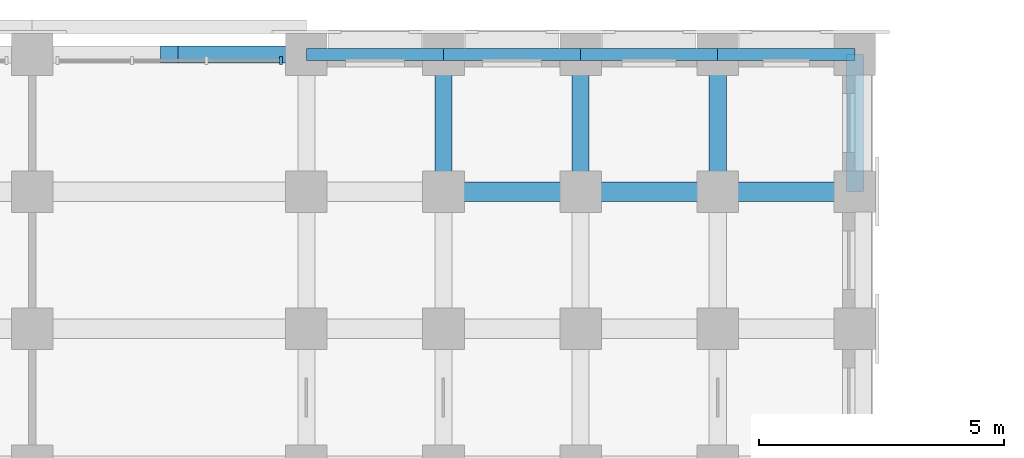
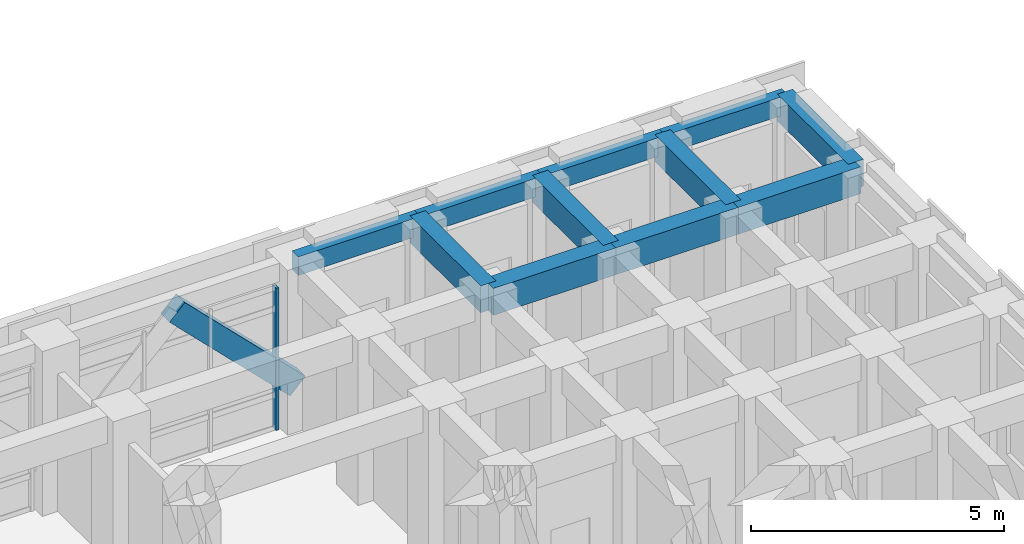
# One storey, part 38 of 97: 12 beams, 1 member, 1 element without a shape of its own.
"""IFC4 building model written with IfcOpenShell, lengths in metres."""

import ifcopenshell
import ifcopenshell.guid

model = None  # the IFC model being written
_history = None  # IfcOwnerHistory: only IFC2X3 demands one
_inside = {}  # id of a spatial element -> (the spatial element, [elements in it])
_under = {}  # id of a project, library or spatial element -> (it, [spatial elements below it])
_declared = {}  # id of a project -> (the project, [libraries it declares])
_typed = {}  # id of a type object -> (the type object, [elements of that type])
_made_of = {}  # id of a material, layer set ... -> (it, [elements and type objects made of it])


def new_model(schema):
    """Start an empty IFC model of exactly this schema.

    Asked for "IFC4X3", IfcOpenShell would pick the latest addendum, in which some entities
    have other attributes; the version numbers below select the first issue.
    IFC2X3 requires an IfcOwnerHistory on every rooted entity: one is made here for all.
    """
    global model, _history
    if schema == "IFC4X3":
        model = ifcopenshell.file(schema_version=(4, 3, 0, 0))
    else:
        model = ifcopenshell.file(schema=schema)
    _inside.clear()
    _under.clear()
    _declared.clear()
    _typed.clear()
    _made_of.clear()
    _history = None
    if model.schema == "IFC2X3":
        org = make("IfcOrganization", Name="unknown")
        user = make(
            "IfcPersonAndOrganization",
            ThePerson=make("IfcPerson", FamilyName="unknown"),
            TheOrganization=org,
        )
        app = make(
            "IfcApplication",
            ApplicationDeveloper=org,
            Version="unknown",
            ApplicationFullName="unknown",
            ApplicationIdentifier="unknown",
        )
        _history = make(
            "IfcOwnerHistory",
            OwningUser=user,
            OwningApplication=app,
            ChangeAction="ADDED",
            CreationDate=0,
        )
    return model


def make(cls, **values):
    """One entity of the class cls with the attributes given. An attribute that is None is left unset."""
    return model.create_entity(
        cls, **{name: value for name, value in values.items() if value is not None}
    )


def rooted(cls, **values):
    """An entity with a GlobalId (a new one), such as an element, a storey or a relation."""
    return make(cls, GlobalId=ifcopenshell.guid.new(), OwnerHistory=_history, **values)


def si_unit(unit_type, name, prefix=None):
    """IfcSIUnit, for example si_unit("LENGTHUNIT", "METRE", prefix="MILLI")."""
    return make("IfcSIUnit", UnitType=unit_type, Prefix=prefix, Name=name)


def assignment(units):
    """IfcUnitAssignment: the units of a project."""
    return None if units is None else make("IfcUnitAssignment", Units=units)


def point(xyz):
    """IfcCartesianPoint."""
    return None if xyz is None else make("IfcCartesianPoint", Coordinates=xyz)


def direction(xyz):
    """IfcDirection."""
    return None if xyz is None else make("IfcDirection", DirectionRatios=xyz)


def frame(location, z_axis=None, x_axis=None):
    """IfcAxis2Placement3D, a coordinate frame: its origin and axes. An axis left out is left unset."""
    return make(
        "IfcAxis2Placement3D",
        Location=point(location),
        Axis=direction(z_axis),
        RefDirection=direction(x_axis),
    )


def frame_2d(location, x_axis=None):
    """IfcAxis2Placement2D, a coordinate frame in the plane: its origin and x axis."""
    return make(
        "IfcAxis2Placement2D", Location=point(location), RefDirection=direction(x_axis)
    )


def origin():
    """The frame at (0, 0, 0) with its axes left unset."""
    return frame((0.0, 0.0, 0.0))


def origin_2d():
    """The frame at (0, 0) in the plane with its x axis left unset."""
    return frame_2d((0.0, 0.0))


def place(relative_to, where):
    """IfcLocalPlacement: puts the frame where relative to a parent placement (None: the world)."""
    return make(
        "IfcLocalPlacement", PlacementRelTo=relative_to, RelativePlacement=where
    )


def context(
    kind, dimensions, precision=None, world=None, true_north=None, identifier=None
):
    """IfcGeometricRepresentationContext, for example the 3D "Model" context."""
    return make(
        "IfcGeometricRepresentationContext",
        ContextIdentifier=identifier,
        ContextType=kind,
        CoordinateSpaceDimension=dimensions,
        Precision=precision,
        WorldCoordinateSystem=world,
        TrueNorth=true_north,
    )


def subcontext(parent, identifier, kind, view, scale=None):
    """IfcGeometricRepresentationSubContext, for example "Body" below "Model"."""
    return make(
        "IfcGeometricRepresentationSubContext",
        ContextIdentifier=identifier,
        ContextType=kind,
        ParentContext=parent,
        TargetScale=scale,
        TargetView=view,
    )


def project(units=None, contexts=None):
    """IfcProject with its units and contexts."""
    return rooted(
        "IfcProject",
        Name="project",
        RepresentationContexts=contexts,
        UnitsInContext=assignment(units),
    )


def spatial(cls, under=None, at=None, **own):
    """A site, building, storey or space (cls), placed at a placement, below another one or the project."""
    s = rooted(cls, ObjectPlacement=at, **own)
    if under is not None:
        _under.setdefault(under.id(), (under, []))[1].append(s)
    return s


def profile(cls, at=None, kind="AREA", **sizes):
    """A parametric profile (cls). Its sizes go by their IFC names, for example OverallWidth=200.0."""
    return make(cls, ProfileType=kind, Position=at, **sizes)


def rectangle(**sizes):
    """IfcRectangleProfileDef."""
    return profile("IfcRectangleProfileDef", **sizes)


def extrude(swept, where, along, depth):
    """IfcExtrudedAreaSolid: the profile swept, set in the frame where, extruded along a direction by depth."""
    return make(
        "IfcExtrudedAreaSolid",
        SweptArea=swept,
        Position=where,
        ExtrudedDirection=direction(along),
        Depth=depth,
    )


def shape(context_of_items, identifier, shape_type, items):
    """IfcShapeRepresentation: the items that make up one representation, for example the "Body"."""
    return make(
        "IfcShapeRepresentation",
        ContextOfItems=context_of_items,
        RepresentationIdentifier=identifier,
        RepresentationType=shape_type,
        Items=items,
    )


def material(Name=None, Category=None):
    """IfcMaterial."""
    return make("IfcMaterial", Name=Name, Category=Category)


def material_profile(
    of_material, cross_section, Name=None, Category=None, Priority=None
):
    """IfcMaterialProfile: a cross section and its material."""
    return make(
        "IfcMaterialProfile",
        Name=Name,
        Material=of_material,
        Profile=cross_section,
        Priority=Priority,
        Category=Category,
    )


def profile_set(profiles, Name=None, composite=None):
    """IfcMaterialProfileSet."""
    return make(
        "IfcMaterialProfileSet",
        Name=Name,
        MaterialProfiles=profiles,
        CompositeProfile=composite,
    )


def made_of(thing, what):
    """Note that an element or type object is made of a material, layer set ...; save() writes the relation."""
    if what is not None:
        _made_of.setdefault(what.id(), (what, []))[1].append(thing)
    return thing


def type_object(cls, material=None, **own):
    """A type object (cls), such as IfcWallType, which elements share."""
    return made_of(rooted(cls, **own), material)


def element(
    cls,
    number,
    at=None,
    inside=None,
    cuts=None,
    type_object=None,
    material=None,
    context=None,
    identifier="Body",
    shape_type=None,
    held_by="IfcProductDefinitionShape",
    body=None,
    shapes=None,
    **own,
):
    """One element of the class cls, such as IfcWall. Its Tag is "e" and its number.

    at: its placement. inside: the storey or other place that contains it. cuts: it is an
    opening in that element (IfcRelVoidsElement). A single representation is given by context,
    identifier, shape_type and body (its items); several are given by shapes. held_by: the class
    of the entity that holds the representations. save() writes the other relations.
    """
    e = rooted(cls, Tag="e%d" % number, ObjectPlacement=at, **own)
    if body is not None:
        shapes = [shape(context, identifier, shape_type, body)]
    if shapes is not None:
        e.Representation = make(held_by, Representations=shapes)
    if inside is not None:
        _inside.setdefault(inside.id(), (inside, []))[1].append(e)
    if cuts is not None:
        rooted(
            "IfcRelVoidsElement", RelatingBuildingElement=cuts, RelatedOpeningElement=e
        )
    if type_object is not None:
        _typed.setdefault(type_object.id(), (type_object, []))[1].append(e)
    return made_of(e, material)


def aggregate(whole, parts):
    """IfcRelAggregates: a whole, such as a stair, and the parts it consists of."""
    return rooted("IfcRelAggregates", RelatingObject=whole, RelatedObjects=parts)


def save(model, path):
    """Write the relations noted so far, then the file.

    IfcRelAggregates (storeys below a building ...), IfcRelContainedInSpatialStructure (elements
    in a storey), IfcRelDefinesByType, IfcRelAssociatesMaterial and IfcRelDeclares: one each for
    every whole, place, type object, material and project.
    """
    for whole, parts in _under.values():
        aggregate(whole, parts)
    for where, things in _inside.values():
        rooted(
            "IfcRelContainedInSpatialStructure",
            RelatedElements=things,
            RelatingStructure=where,
        )
    for kind, things in _typed.values():
        rooted("IfcRelDefinesByType", RelatedObjects=things, RelatingType=kind)
    for what, things in _made_of.values():
        rooted("IfcRelAssociatesMaterial", RelatedObjects=things, RelatingMaterial=what)
    for by, libraries in _declared.values():
        rooted("IfcRelDeclares", RelatingContext=by, RelatedDefinitions=libraries)
    model.write(path)


model = new_model("IFC4")

# Units and contexts
model_context = context("Model", 3, precision=1e-05, world=origin(), true_north=direction((0.0, 1.0)))
body_context = subcontext(model_context, "Body", "Model", "MODEL_VIEW")
ifc_project = project(units=[si_unit("LENGTHUNIT", "METRE"), si_unit("AREAUNIT", "SQUARE_METRE"), si_unit("VOLUMEUNIT", "CUBIC_METRE"), si_unit("PLANEANGLEUNIT", "RADIAN"), si_unit("MASSUNIT", "GRAM", prefix="KILO")], contexts=[model_context])

# Site, building, storey
site_placement = place(None, origin())
site = spatial("IfcSite", under=ifc_project, at=site_placement, CompositionType="ELEMENT")
building_placement = place(site_placement, origin())
building = spatial("IfcBuilding", under=site, at=building_placement, Name="Kiranvali Square Residences", CompositionType="ELEMENT")
storey_placement = place(building_placement, frame((0.0, 0.0, 4.5)))
storey = spatial("IfcBuildingStorey", under=building, at=storey_placement, Name="L01", CompositionType="ELEMENT", Elevation=4.5)

# Beams
ifc_material_1 = material(Name="Concrete M40 (40 MPa)", Category="concrete")
ifc_material_profile_1 = material_profile(ifc_material_1, rectangle(XDim=0.35009765625, YDim=0.5, at=origin_2d()), Name="RC 350x500")
ifc_profile_set_1 = profile_set([ifc_material_profile_1], Name="Concrete M40 (40 MPa)")
beam_type_1 = type_object("IfcBeamType", Name="AR-M40-350x500", PredefinedType="USERDEFINED", material=ifc_profile_set_1)
beam_placement = place(storey_placement, frame((56.60009765625, 133.800048828125, 3.64990234375), z_axis=(0.708390178619, 0.0, -0.705821050151), x_axis=(0.0, 1.0, 0.0)))
element("IfcBeam", 1, at=beam_placement, inside=storey, type_object=beam_type_1, Name="Classical pointed Ottoman arch rib ARCH-A-A1-1.2", ObjectType="ARCH RIB", PredefinedType="USERDEFINED", context=body_context, shape_type="SweptSolid", body=[
    extrude(rectangle(XDim=0.35009765625, YDim=0.5, at=origin_2d()), origin(), (0.0, 0.0, 1.0), 3.896240234375),
])
ifc_material_profile_2 = material_profile(ifc_material_1, rectangle(XDim=0.35009765625, YDim=0.64990234375, at=origin_2d()), Name="RC 350x650")
ifc_profile_set_2 = profile_set([ifc_material_profile_2], Name="Concrete M40 (40 MPa)")
beam_type_2 = type_object("IfcBeamType", Name="BM-M40-350x650", PredefinedType="BEAM", material=ifc_profile_set_2)
for number, where, z_axis, x_axis, name in (
    (2, (62.199951171875, 131.0, 3.655029296875), (0.0, 1.0, 0.0), (-1.0, 0.0, 0.0), "L01 beam BM-A-L01-A1T2-67"),
    (3, (65.0, 131.0, 3.655029296875), (0.0, 1.0, 0.0), (-1.0, 0.0, 0.0), "L01 beam BM-A-L01-A1T3-67"),
    (4, (67.800048828125, 131.0, 3.655029296875), (0.0, 1.0, 0.0), (-1.0, 0.0, 0.0), "L01 beam BM-A-L01-A1T4-67"),
    (5, (70.60009765625, 131.0, 3.655029296875), (0.0, 1.0, 0.0), (-1.0, 0.0, 0.0), "L01 beam BM-A-L01-A1T5-67"),
):
    element("IfcBeam", number, at=place(storey_placement, frame(where, z_axis=z_axis, x_axis=x_axis)), inside=storey, type_object=beam_type_2, Name=name, PredefinedType="BEAM", context=body_context, shape_type="SweptSolid", body=[
        extrude(rectangle(XDim=0.35009765625, YDim=0.64990234375, at=origin_2d()), origin(), (0.0, 0.0, 1.0), 2.800048828125),
    ])
ifc_material_2 = material(Name="Concrete M45 (45 MPa)", Category="concrete")
ifc_material_profile_3 = material_profile(ifc_material_2, rectangle(XDim=0.39990234375, YDim=0.64990234375, at=origin_2d()), Name="RC 400x650")
ifc_profile_set_3 = profile_set([ifc_material_profile_3], Name="Concrete M45 (45 MPa)")
beam_type_3 = type_object("IfcBeamType", Name="BM-M45-400x650", PredefinedType="BEAM", material=ifc_profile_set_3)
for number, where, z_axis, x_axis, name in (
    (6, (62.199951171875, 131.0, 3.655029296875), (1.0, 0.0, 0.0), (0.0, 1.0, 0.0), "L01 beam BM-A-L01-A1U3-R6"),
    (7, (65.0, 131.0, 3.655029296875), (1.0, 0.0, 0.0), (0.0, 1.0, 0.0), "L01 beam BM-A-L01-A1U4-R6"),
    (8, (67.800048828125, 131.0, 3.655029296875), (1.0, 0.0, 0.0), (0.0, 1.0, 0.0), "L01 beam BM-A-L01-A1U5-R6"),
):
    element("IfcBeam", number, at=place(storey_placement, frame(where, z_axis=z_axis, x_axis=x_axis)), inside=storey, type_object=beam_type_3, Name=name, PredefinedType="BEAM", context=body_context, shape_type="SweptSolid", body=[
        extrude(rectangle(XDim=0.39990234375, YDim=0.64990234375, at=origin_2d()), origin(), (0.0, 0.0, 1.0), 2.800048828125),
    ])

# Curtain wall, member
ifc_material_3 = material(Name="Anodised bronze aluminium framing", Category="aluminium")
curtain_wall_type = type_object("IfcCurtainWallType", Name="CW-RET-SHOP", PredefinedType="USERDEFINED", material=ifc_material_3)
curtain_wall_placement = place(storey_placement, origin())
curtain_wall = element("IfcCurtainWall", 9, at=curtain_wall_placement, inside=storey, type_object=curtain_wall_type, Name="L01 curtain wall CW-A-L01-A1-1", ObjectType="CURTAIN WALL", PredefinedType="USERDEFINED")
ifc_material_profile_4 = material_profile(ifc_material_3, rectangle(XDim=0.06494140625, YDim=0.159912109375, at=origin_2d()), Name="ALU 65x160")
ifc_profile_set_4 = profile_set([ifc_material_profile_4], Name="Anodised bronze aluminium framing")
member_type = type_object("IfcMemberType", Name="CW-MUL-160", PredefinedType="MULLION", material=ifc_profile_set_4)
member_placement = place(storey_placement, frame((58.8798828125, 133.679931640625, 0.02001953125), z_axis=(0.0, 0.0, 1.0), x_axis=(1.0, 0.0, 0.0)))
member = element("IfcMember", 10, at=member_placement, type_object=member_type, Name="CW-A-L01-A1-1 vertical mullion 4", PredefinedType="MULLION", context=body_context, shape_type="SweptSolid", body=[
    extrude(rectangle(XDim=0.06494140625, YDim=0.159912109375, at=origin_2d()), origin(), (0.0, 0.0, 1.0), 3.43994140625),
])
aggregate(curtain_wall, [member])

# Beams
ifc_material_profile_5 = material_profile(ifc_material_1, rectangle(XDim=0.25, YDim=0.449951171875, at=origin_2d()), Name="RC 250x450")
ifc_profile_set_5 = profile_set([ifc_material_profile_5], Name="Concrete M40 (40 MPa)")
beam_type_4 = type_object("IfcBeamType", Name="SPN-M40-250x450", PredefinedType="SPANDREL", material=ifc_profile_set_5)
for number, where, z_axis, x_axis, name in (
    (11, (59.39990234375, 133.800048828125, 3.7548828125), (1.0, 0.0, 0.0), (0.0, 1.0, 0.0), "L01 beam BM-A-L01-A1U2-R7"),
    (12, (62.199951171875, 133.800048828125, 3.7548828125), (1.0, 0.0, 0.0), (0.0, 1.0, 0.0), "L01 beam BM-A-L01-A1U3-R7"),
    (13, (65.0, 133.800048828125, 3.7548828125), (1.0, 0.0, 0.0), (0.0, 1.0, 0.0), "L01 beam BM-A-L01-A1U4-R7"),
    (14, (67.800048828125, 133.800048828125, 3.7548828125), (1.0, 0.0, 0.0), (0.0, 1.0, 0.0), "L01 beam BM-A-L01-A1U5-R7"),
):
    element("IfcBeam", number, at=place(storey_placement, frame(where, z_axis=z_axis, x_axis=x_axis)), inside=storey, type_object=beam_type_4, Name=name, PredefinedType="SPANDREL", context=body_context, shape_type="SweptSolid", body=[
        extrude(rectangle(XDim=0.25, YDim=0.449951171875, at=origin_2d()), origin(), (0.0, 0.0, 1.0), 2.800048828125),
    ])

save(model, "model.ifc")
